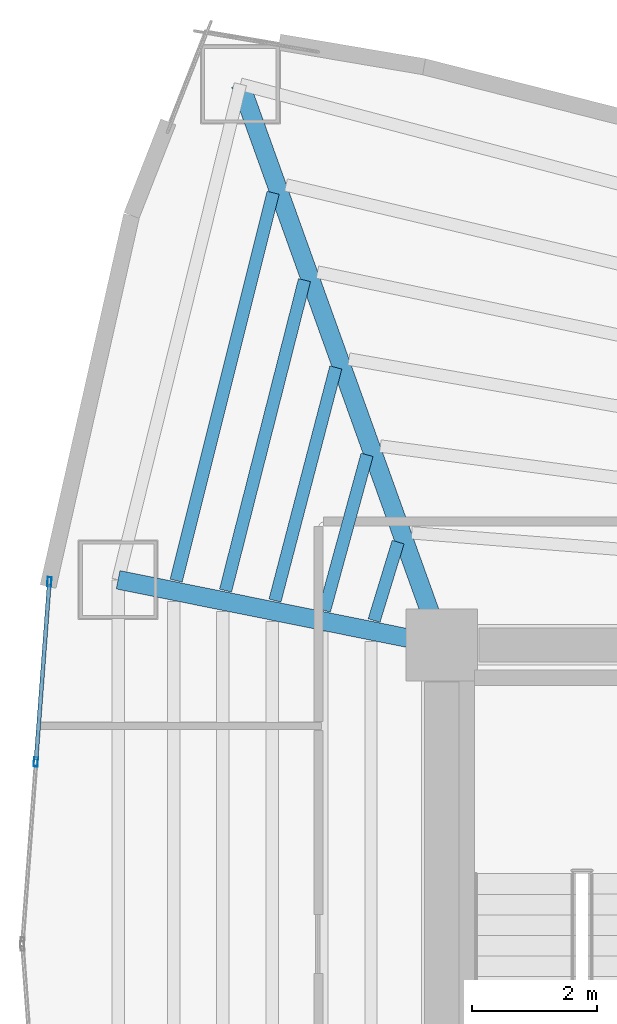
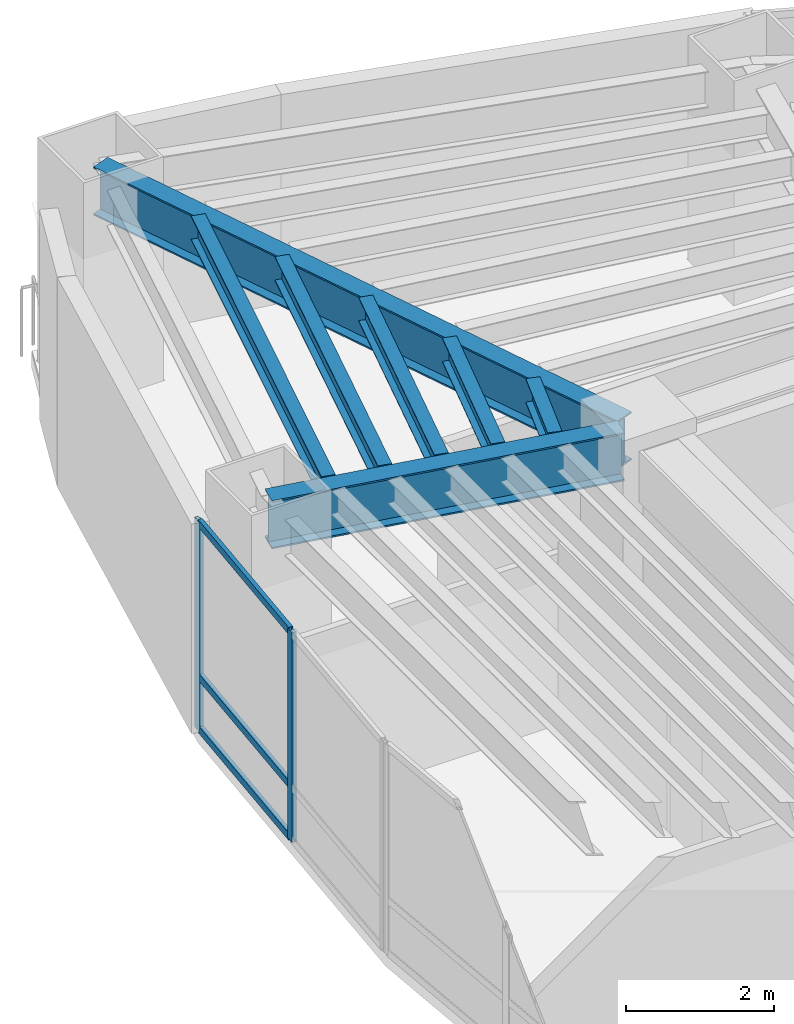
# One storey, part 7 of 18: 7 beams, 5 members, 1 element without a shape of its own.
"""IFC4 building model written with IfcOpenShell, lengths in metres."""

from ifc_helpers import new_model, si_unit, direction, frame, origin, origin_2d, place, context, subcontext, project, spatial, hollow_rectangle, i_section, extrude, material, layer, layer_set, material_profile, profile_set, type_object, element, aggregate, save


model = new_model("IFC4")

# Units and contexts
model_context = context("Model", 3, precision=1e-05, world=origin(), true_north=direction((0.0, 1.0)))
body_context = subcontext(model_context, "Body", "Model", "MODEL_VIEW")
ifc_project = project(units=[si_unit("LENGTHUNIT", "METRE"), si_unit("AREAUNIT", "SQUARE_METRE"), si_unit("VOLUMEUNIT", "CUBIC_METRE"), si_unit("PLANEANGLEUNIT", "RADIAN"), si_unit("MASSUNIT", "GRAM", prefix="KILO")], contexts=[model_context])

# Site, building, storey
site_placement = place(None, origin())
site = spatial("IfcSite", under=ifc_project, at=site_placement, CompositionType="ELEMENT")
building_placement = place(site_placement, origin())
building = spatial("IfcBuilding", under=site, at=building_placement, Name="Menara Vayukalpa", CompositionType="ELEMENT")
storey_placement = place(building_placement, frame((0.0, 0.0, 92.820068359375)))
storey = spatial("IfcBuildingStorey", under=building, at=storey_placement, Name="L22", CompositionType="ELEMENT", Elevation=92.820068359375)

# Beams
ifc_material_1 = material(Name="Steel S355", Category="steel")
ifc_material_profile_1 = material_profile(ifc_material_1, i_section(OverallWidth=0.300048828125, OverallDepth=0.800048828125, WebThickness=0.013916015625, FlangeThickness=0.02587890625, at=origin_2d()), Name="WF 800x300x14x26")
ifc_profile_set_1 = profile_set([ifc_material_profile_1], Name="Steel S355")
beam_type_1 = type_object("IfcBeamType", Name="BM-PG3", PredefinedType="BEAM", material=ifc_profile_set_1)
beam_1_placement = place(storey_placement, frame((17.715576171875, 27.035400390625, 3.06982421875), z_axis=(-0.337975542909, 0.941154892882, 0.0), x_axis=(-0.941154892882, -0.337975542909, 0.0)))
element("IfcBeam", 1, at=beam_1_placement, inside=storey, type_object=beam_type_1, Name="L22 Primary Radial Girder RG04", PredefinedType="BEAM", context=body_context, shape_type="SweptSolid", body=[
    extrude(i_section(OverallWidth=0.300048828125, OverallDepth=0.800048828125, WebThickness=0.013916015625, FlangeThickness=0.02587890625, at=origin_2d()), origin(), (0.0, 0.0, 1.0), 9.309814453125),
])
beam_2_placement = place(storey_placement, frame((17.554931640625, 26.849365234375, 3.06982421875), z_axis=(-0.980324984906, 0.197390283373, 0.0), x_axis=(-0.197390283373, -0.980324984906, 0.0)))
element("IfcBeam", 2, at=beam_2_placement, inside=storey, type_object=beam_type_1, Name="L22 Primary Radial Girder RG05", PredefinedType="BEAM", context=body_context, shape_type="SweptSolid", body=[
    extrude(i_section(OverallWidth=0.300048828125, OverallDepth=0.800048828125, WebThickness=0.013916015625, FlangeThickness=0.02587890625, at=origin_2d()), origin(), (0.0, 0.0, 1.0), 5.047607421875),
])
ifc_material_2 = material(Name="Steel S355", Category="steel")
ifc_material_profile_2 = material_profile(ifc_material_2, i_section(OverallWidth=0.199951171875, OverallDepth=0.39990234375, WebThickness=0.008056640625, FlangeThickness=0.012939453125, at=origin_2d()), Name="WF 400x200x8x13")
ifc_profile_set_2 = profile_set([ifc_material_profile_2], Name="Steel S355")
beam_type_2 = type_object("IfcBeamType", Name="BM-SJ2", PredefinedType="JOIST", material=ifc_profile_set_2)
beam_3_placement = place(storey_placement, frame((17.099365234375, 28.449951171875, 3.27001953125), z_axis=(-0.292651981473, -0.956219021846, 0.0), x_axis=(0.956219021846, -0.292651981473, 0.0)))
element("IfcBeam", 3, at=beam_3_placement, inside=storey, type_object=beam_type_2, Name="L22 Secondary Floor Joist SJ04-1", PredefinedType="JOIST", context=body_context, shape_type="SweptSolid", body=[
    extrude(i_section(OverallWidth=0.199951171875, OverallDepth=0.39990234375, WebThickness=0.008056640625, FlangeThickness=0.012939453125, at=origin_2d()), origin(), (0.0, 0.0, 1.0), 1.31640625),
])
beam_4_placement = place(storey_placement, frame((16.600830078125, 29.850341796875, 3.27001953125), z_axis=(-0.263922858843, -0.964543790908, 0.0), x_axis=(0.964543790908, -0.263922858843, 0.0)))
element("IfcBeam", 4, at=beam_4_placement, inside=storey, type_object=beam_type_2, Name="L22 Secondary Floor Joist SJ04-2", PredefinedType="JOIST", context=body_context, shape_type="SweptSolid", body=[
    extrude(i_section(OverallWidth=0.199951171875, OverallDepth=0.39990234375, WebThickness=0.008056640625, FlangeThickness=0.012939453125, at=origin_2d()), origin(), (0.0, 0.0, 1.0), 2.590087890625),
])
beam_5_placement = place(storey_placement, frame((16.099365234375, 31.251953125, 3.27001953125), z_axis=(-0.252406469257, -0.967621296933, 0.0), x_axis=(0.967621296933, -0.252406469257, 0.0)))
element("IfcBeam", 5, at=beam_5_placement, inside=storey, type_object=beam_type_2, Name="L22 Secondary Floor Joist SJ04-3", PredefinedType="JOIST", context=body_context, shape_type="SweptSolid", body=[
    extrude(i_section(OverallWidth=0.199951171875, OverallDepth=0.39990234375, WebThickness=0.008056640625, FlangeThickness=0.012939453125, at=origin_2d()), origin(), (0.0, 0.0, 1.0), 3.865234375),
])
beam_6_placement = place(storey_placement, frame((15.596923828125, 32.653564453125, 3.27001953125), z_axis=(-0.246311066692, -0.969190826631, 0.0), x_axis=(0.969190826631, -0.246311066692, 0.0)))
element("IfcBeam", 6, at=beam_6_placement, inside=storey, type_object=beam_type_2, Name="L22 Secondary Floor Joist SJ04-4", PredefinedType="JOIST", context=body_context, shape_type="SweptSolid", body=[
    extrude(i_section(OverallWidth=0.199951171875, OverallDepth=0.39990234375, WebThickness=0.008056640625, FlangeThickness=0.012939453125, at=origin_2d()), origin(), (0.0, 0.0, 1.0), 5.140380859375),
])
beam_7_placement = place(storey_placement, frame((15.09423828125, 34.055419921875, 3.27001953125), z_axis=(-0.242481900969, -0.970155929582, 0.0), x_axis=(0.970155929582, -0.242481900969, 0.0)))
element("IfcBeam", 7, at=beam_7_placement, inside=storey, type_object=beam_type_2, Name="L22 Secondary Floor Joist SJ04-5", PredefinedType="JOIST", context=body_context, shape_type="SweptSolid", body=[
    extrude(i_section(OverallWidth=0.199951171875, OverallDepth=0.39990234375, WebThickness=0.008056640625, FlangeThickness=0.012939453125, at=origin_2d()), origin(), (0.0, 0.0, 1.0), 6.41552734375),
])

# Curtain wall, members
ifc_material_3 = material(Name="Anodised Terracotta Aluminium Alloy 6063-T6", Category="masonry")
ifc_layer = layer(ifc_material_3, 0.14990234375)
ifc_layer_set = layer_set([ifc_layer], Name="Anodised Terracotta Aluminium Alloy 6063-T6")
curtain_wall_type = type_object("IfcCurtainWallType", Name="CW-CW3", PredefinedType="USERDEFINED", material=ifc_layer_set)
curtain_wall_placement = place(storey_placement, origin())
curtain_wall = element("IfcCurtainWall", 8, at=curtain_wall_placement, inside=storey, type_object=curtain_wall_type, Name="L22 Mid Rise Terracotta Ribbon Curtain Wall CW3 10", ObjectType="UNITISED", PredefinedType="USERDEFINED")
ifc_material_4 = material(Name="Anodised Terracotta Aluminium Alloy 6063-T6", Category="masonry")
ifc_material_profile_3 = material_profile(ifc_material_4, hollow_rectangle(XDim=0.06494140625, YDim=0.14990234375, WallThickness=0.00341796875, at=origin_2d()), Name="ALU 65x150x3.5")
ifc_profile_set_3 = profile_set([ifc_material_profile_3], Name="Anodised Terracotta Aluminium Alloy 6063-T6")
member_type_1 = type_object("IfcMemberType", Name="CWM-CW3", PredefinedType="MULLION", material=ifc_profile_set_3)
member_1_placement = place(storey_placement, frame((11.504150390625, 27.813232421875, 0.0), z_axis=(0.0, 0.0, 1.0), x_axis=(0.997199659745, -0.07478528334, 0.0)))
member_1 = element("IfcMember", 9, at=member_1_placement, type_object=member_type_1, Name="CW3 mullion 1", PredefinedType="MULLION", context=body_context, shape_type="SweptSolid", body=[
    extrude(hollow_rectangle(XDim=0.06494140625, YDim=0.14990234375, WallThickness=0.00341796875, at=origin_2d()), origin(), (0.0, 0.0, 1.0), 3.469970703125),
])
member_2_placement = place(storey_placement, frame((11.287353515625, 24.9228515625, 0.0), z_axis=(0.0, 0.0, 1.0), x_axis=(0.997199659745, -0.07478528334, 0.0)))
member_2 = element("IfcMember", 10, at=member_2_placement, type_object=member_type_1, Name="CW3 mullion 2", PredefinedType="MULLION", context=body_context, shape_type="SweptSolid", body=[
    extrude(hollow_rectangle(XDim=0.06494140625, YDim=0.14990234375, WallThickness=0.00341796875, at=origin_2d()), origin(), (0.0, 0.0, 1.0), 3.469970703125),
])
ifc_material_5 = material(Name="Anodised Terracotta Aluminium Alloy 6063-T6", Category="masonry")
ifc_material_profile_4 = material_profile(ifc_material_5, hollow_rectangle(XDim=0.06494140625, YDim=0.1201171875, WallThickness=0.00341796875, at=origin_2d()), Name="ALU 65x120x3.5")
ifc_profile_set_4 = profile_set([ifc_material_profile_4], Name="Anodised Terracotta Aluminium Alloy 6063-T6")
member_type_2 = type_object("IfcMemberType", Name="CWT-CW3", PredefinedType="USERDEFINED", material=ifc_profile_set_4)
member_3_placement = place(storey_placement, frame((11.501708984375, 27.78076171875, 0.032470703125), z_axis=(-0.074792090342, -0.997199149229, 0.0), x_axis=(0.997199149229, -0.074792090342, 0.0)))
member_3 = element("IfcMember", 11, at=member_3_placement, type_object=member_type_2, Name="CW3 transom 1.1", ObjectType="TRANSOM", PredefinedType="USERDEFINED", context=body_context, shape_type="SweptSolid", body=[
    extrude(hollow_rectangle(XDim=0.06494140625, YDim=0.1201171875, WallThickness=0.00341796875, at=origin_2d()), origin(), (0.0, 0.0, 1.0), 2.83349609375),
])
member_4_placement = place(storey_placement, frame((11.501708984375, 27.78076171875, 0.89990234375), z_axis=(-0.074792090342, -0.997199149229, 0.0), x_axis=(0.997199149229, -0.074792090342, 0.0)))
member_4 = element("IfcMember", 12, at=member_4_placement, type_object=member_type_2, Name="CW3 transom 1.2", ObjectType="TRANSOM", PredefinedType="USERDEFINED", context=body_context, shape_type="SweptSolid", body=[
    extrude(hollow_rectangle(XDim=0.06494140625, YDim=0.1201171875, WallThickness=0.00341796875, at=origin_2d()), origin(), (0.0, 0.0, 1.0), 2.83349609375),
])
member_5_placement = place(storey_placement, frame((11.501708984375, 27.78076171875, 3.4375), z_axis=(-0.074792090342, -0.997199149229, 0.0), x_axis=(0.997199149229, -0.074792090342, 0.0)))
member_5 = element("IfcMember", 13, at=member_5_placement, type_object=member_type_2, Name="CW3 transom 1.3", ObjectType="TRANSOM", PredefinedType="USERDEFINED", context=body_context, shape_type="SweptSolid", body=[
    extrude(hollow_rectangle(XDim=0.06494140625, YDim=0.1201171875, WallThickness=0.00341796875, at=origin_2d()), origin(), (0.0, 0.0, 1.0), 2.83349609375),
])
aggregate(curtain_wall, [member_1, member_2, member_3, member_4, member_5])

save(model, "model.ifc")
